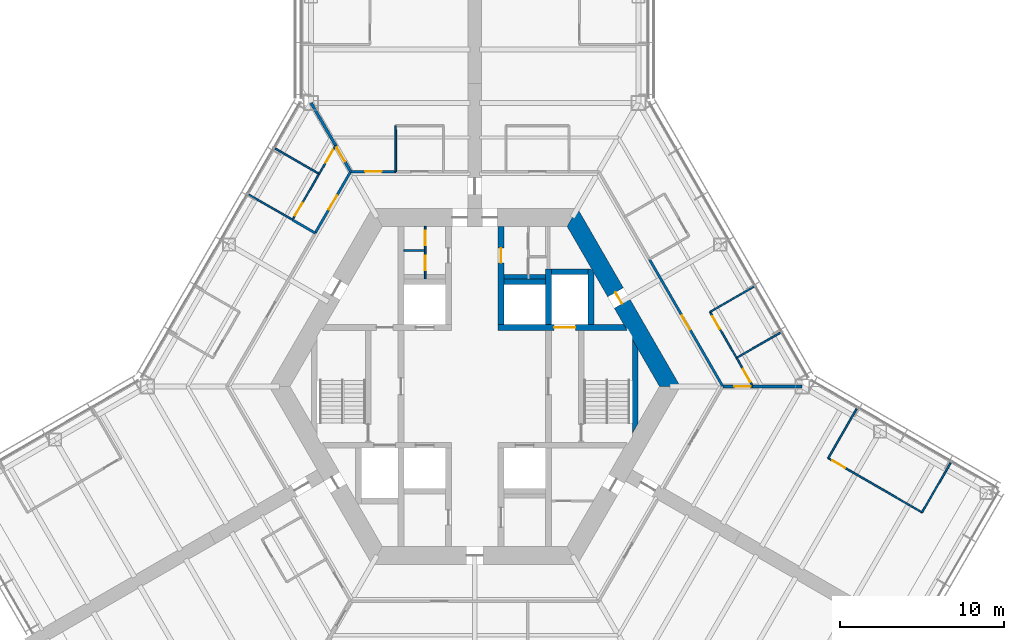
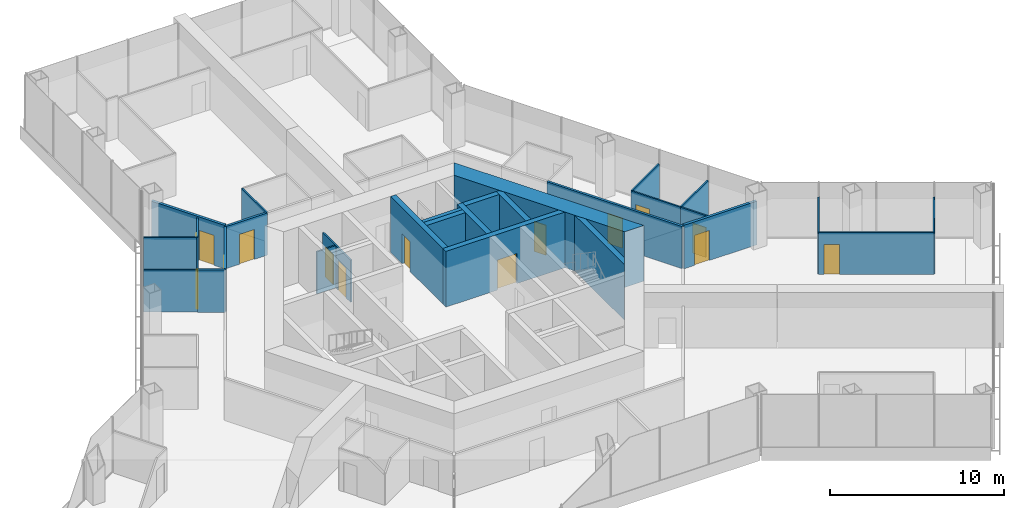
# One storey, part 14 of 18: 29 walls, 15 doors, 15 openings.
"""IFC4 building model written with IfcOpenShell, lengths in metres."""

from ifc_helpers import new_model, si_unit, direction, frame, frame_2d, origin, place, context, subcontext, project, spatial, polyline, rectangle, outline, extrude, material, layer, layer_set, type_object, element, fill, save


model = new_model("IFC4")

# Units and contexts
model_context = context("Model", 3, precision=1e-05, world=origin(), true_north=direction((0.0, 1.0)))
body_context = subcontext(model_context, "Body", "Model", "MODEL_VIEW")
ifc_project = project(units=[si_unit("LENGTHUNIT", "METRE"), si_unit("AREAUNIT", "SQUARE_METRE"), si_unit("VOLUMEUNIT", "CUBIC_METRE"), si_unit("PLANEANGLEUNIT", "RADIAN"), si_unit("MASSUNIT", "GRAM", prefix="KILO")], contexts=[model_context])

# Site, building, storey
site_placement = place(None, origin())
site = spatial("IfcSite", under=ifc_project, at=site_placement, CompositionType="ELEMENT")
building_placement = place(site_placement, origin())
building = spatial("IfcBuilding", under=site, at=building_placement, Name="Kasaneha Research Tower", CompositionType="ELEMENT")
storey_placement = place(building_placement, frame((0.0, 0.0, 69.0)))
storey = spatial("IfcBuildingStorey", under=building, at=storey_placement, Name="L17", CompositionType="ELEMENT", Elevation=69.0)

# Wall, opening, door
ifc_material_1 = material(Name="Concrete Fc80", Category="concrete")
ifc_layer_1 = layer(ifc_material_1, 0.35009765625)
ifc_layer_set_1 = layer_set([ifc_layer_1], Name="Core internal wall 350 Fc80")
wall_type_1 = type_object("IfcWallType", Name="Core internal wall 350 Fc80", PredefinedType="SHEAR", material=ifc_layer_set_1)
wall_1_placement = place(storey_placement, frame((1.425048828125, 3.60009765625, 0.0), z_axis=(0.0, 0.0, 1.0), x_axis=(1.0, 0.0, 0.0)))
wall_1 = element("IfcWall", 1, at=wall_1_placement, inside=storey, type_object=wall_type_1, Name="Core wall W1E L17", PredefinedType="SHEAR", context=body_context, shape_type="SweptSolid", body=[
    extrude(outline(polyline([(0.0, -0.175048828125), (3.425048828125, -0.175048828125), (4.72509765625, -0.175048828125), (7.884765625, -0.175048828125), (7.6826171875, 0.175048828125), (4.72509765625, 0.175048828125), (3.425048828125, 0.175048828125), (0.0, 0.175048828125), (0.0, -0.175048828125)])), origin(), (0.0, 0.0, 1.0), 3.89990234375),
])
opening_1_placement = place(wall_1_placement, frame((3.425048828125, 0.0, 0.0)))
opening_1 = element("IfcOpeningElement", 2, at=opening_1_placement, cuts=wall_1, Name="Opening LD-FL1-L17", PredefinedType="OPENING", context=body_context, shape_type="SweptSolid", body=[
    extrude(rectangle(XDim=1.300048828125, YDim=2.10009765625, at=frame_2d((0.64990234375, 1.050048828125))), frame((0.0, 0.18505859375, 0.0), z_axis=(0.0, -1.0, 0.0), x_axis=(1.0, 0.0, 0.0)), (0.0, 0.0, 1.0), 0.3701171875),
])
ifc_material_2 = material(Name="Steel", Category="steel")
door_type_1 = type_object("IfcDoorType", Name="Lift landing door 1300x2100", OperationType="DOUBLE_DOOR_SLIDING", PredefinedType="DOOR", material=ifc_material_2)
door_1_placement = place(opening_1_placement, origin())
door_1 = element("IfcDoor", 3, at=door_1_placement, inside=storey, type_object=door_type_1, Name="Landing door FL1 LD-FL1-L17", OperationType="DOUBLE_DOOR_SLIDING", OverallHeight=2.10009765625, OverallWidth=1.300048828125, PredefinedType="DOOR", context=body_context, shape_type="SweptSolid", body=[
    extrude(rectangle(XDim=1.300048828125, YDim=2.10009765625, at=frame_2d((0.64990234375, 1.050048828125))), frame((0.0, 0.02490234375, 0.0), z_axis=(0.0, -1.0, 0.0), x_axis=(1.0, 0.0, 0.0)), (0.0, 0.0, 1.0), 0.050048828125),
])
fill(opening_1, door_1)

wall_2_placement = place(storey_placement, frame((1.60009765625, 3.77490234375, 0.0), z_axis=(0.0, 0.0, 1.0), x_axis=(0.0, 1.0, 0.0)))
wall_2 = element("IfcWall", 4, at=wall_2_placement, inside=storey, type_object=wall_type_1, Name="Core wall CNE L17", PredefinedType="SHEAR", context=body_context, shape_type="SweptSolid", body=[
    extrude(rectangle(XDim=6.0, YDim=0.35009765625, at=frame_2d((3.0, 0.0))), origin(), (0.0, 0.0, 1.0), 3.89990234375),
])
opening_2_placement = place(wall_2_placement, frame((3.77490234375, 0.0, 0.0)))
opening_2 = element("IfcOpeningElement", 5, at=opening_2_placement, cuts=wall_2, Name="Opening L17-D14", PredefinedType="OPENING", context=body_context, shape_type="SweptSolid", body=[
    extrude(rectangle(XDim=0.89990234375, YDim=2.10009765625, at=frame_2d((0.449951171875, 1.050048828125))), frame((0.0, 0.18505859375, 0.0), z_axis=(0.0, -1.0, 0.0), x_axis=(1.0, 0.0, 0.0)), (0.0, 0.0, 1.0), 0.3701171875),
])
ifc_material_3 = material(Name="Steel", Category="steel")
door_type_2 = type_object("IfcDoorType", Name="Toilet door FD20 900x2100", OperationType="NOTDEFINED", PredefinedType="DOOR", material=ifc_material_3)
door_2_placement = place(opening_2_placement, origin())
door_2 = element("IfcDoor", 6, at=door_2_placement, inside=storey, type_object=door_type_2, Name="Women's WC door L17-D14", OperationType="SINGLE_SWING_LEFT", OverallHeight=2.10009765625, OverallWidth=0.89990234375, PredefinedType="DOOR", context=body_context, shape_type="SweptSolid", body=[
    extrude(rectangle(XDim=0.89990234375, YDim=2.10009765625, at=frame_2d((0.449951171875, 1.050048828125))), frame((0.0, 0.02490234375, 0.0), z_axis=(0.0, -1.0, 0.0), x_axis=(1.0, 0.0, 0.0)), (0.0, 0.0, 1.0), 0.050048828125),
])
fill(opening_2, door_2)

# Walls
wall_3_placement = place(storey_placement, frame((4.5, 3.77490234375, 0.0), z_axis=(0.0, 0.0, 1.0), x_axis=(0.0, 1.0, 0.0)))
element("IfcWall", 7, at=wall_3_placement, inside=storey, type_object=wall_type_1, Name="Core wall FNE L17", PredefinedType="SHEAR", context=body_context, shape_type="SweptSolid", body=[
    extrude(rectangle(XDim=3.400146484375, YDim=0.35009765625, at=frame_2d((1.7001953125, 0.0))), origin(), (0.0, 0.0, 1.0), 3.89990234375),
])
wall_4_placement = place(storey_placement, frame((1.77490234375, 6.39990234375, 0.0), z_axis=(0.0, 0.0, 1.0), x_axis=(1.0, 0.0, 0.0)))
element("IfcWall", 8, at=wall_4_placement, inside=storey, type_object=wall_type_1, Name="Core wall N3N L17", PredefinedType="SHEAR", context=body_context, shape_type="SweptSolid", body=[
    extrude(rectangle(XDim=2.550048828125, YDim=0.35009765625, at=frame_2d((1.27490234375, 0.0))), origin(), (0.0, 0.0, 1.0), 3.89990234375),
])
wall_5_placement = place(storey_placement, frame((4.675048828125, 7.0, 0.0), z_axis=(0.0, 0.0, 1.0), x_axis=(1.0, 0.0, 0.0)))
element("IfcWall", 9, at=wall_5_placement, inside=storey, type_object=wall_type_1, Name="Core wall F1N L17", PredefinedType="SHEAR", context=body_context, shape_type="SweptSolid", body=[
    extrude(rectangle(XDim=2.25, YDim=0.35009765625, at=frame_2d((1.125, 0.0))), origin(), (0.0, 0.0, 1.0), 3.89990234375),
])
wall_6_placement = place(storey_placement, frame((7.10009765625, 3.77490234375, 0.0), z_axis=(0.0, 0.0, 1.0), x_axis=(0.0, 1.0, 0.0)))
element("IfcWall", 10, at=wall_6_placement, inside=storey, type_object=wall_type_1, Name="Core wall F1E L17", PredefinedType="SHEAR", context=body_context, shape_type="SweptSolid", body=[
    extrude(outline(polyline([(0.0, -0.175048828125), (3.174560546875, -0.175048828125), (3.400146484375, 0.0), (3.400146484375, 0.175048828125), (0.0, 0.175048828125), (0.0, -0.175048828125)])), origin(), (0.0, 0.0, 1.0), 3.89990234375),
])
wall_7_placement = place(storey_placement, frame((9.807861328125, -2.562255859375, 0.0), z_axis=(0.0, 0.0, 1.0), x_axis=(0.0, 1.0, 0.0)))
element("IfcWall", 11, at=wall_7_placement, inside=storey, type_object=wall_type_1, Name="Core wall STE L17", PredefinedType="SHEAR", context=body_context, shape_type="SweptSolid", body=[
    extrude(outline(polyline([(0.30322265625, -0.175048828125), (4.8212890625, -0.175048828125), (5.427734375, 0.175048828125), (-0.30322265625, 0.175048828125), (0.30322265625, -0.175048828125)])), origin(), (0.0, 0.0, 1.0), 3.89990234375),
])

# Wall, opening, door
ifc_material_4 = material(Name="Concrete Fc80", Category="concrete")
ifc_layer_2 = layer(ifc_material_4, 1.10009765625)
ifc_layer_set_2 = layer_set([ifc_layer_2], Name="Core wall 1100 Fc80")
wall_type_2 = type_object("IfcWallType", Name="Core wall 1100 Fc80", PredefinedType="SHEAR", material=ifc_layer_set_2)
wall_8_placement = place(storey_placement, frame((11.92236328125, 0.0, 0.0), z_axis=(0.0, 0.0, 1.0), x_axis=(-0.500004296715, 0.866022923061, 0.0)))
wall_8 = element("IfcWall", 12, at=wall_8_placement, inside=storey, type_object=wall_type_2, Name="Core wall 030 L17", PredefinedType="SHEAR", context=body_context, shape_type="SweptSolid", body=[
    extrude(outline(polyline([(-0.317626953125, -0.550048828125), (5.83544921875, -0.550048828125), (6.635498046875, -0.550048828125), (12.239990234375, -0.550048828125), (11.604736328125, 0.550048828125), (6.635498046875, 0.550048828125), (5.83544921875, 0.550048828125), (0.317626953125, 0.550048828125), (-0.317626953125, -0.550048828125)])), origin(), (0.0, 0.0, 1.0), 3.89990234375),
])
opening_3_placement = place(wall_8_placement, frame((5.83544921875, 0.0, 0.0)))
opening_3 = element("IfcOpeningElement", 13, at=opening_3_placement, cuts=wall_8, Name="Opening L17-D04", PredefinedType="OPENING", context=body_context, shape_type="SweptSolid", body=[
    extrude(rectangle(XDim=0.800048828125, YDim=2.10009765625, at=frame_2d((0.39990234375, 1.050048828125))), frame((0.0, 0.56005859375, 0.0), z_axis=(0.0, -1.0, 0.0), x_axis=(1.0, 0.0, 0.0)), (0.0, 0.0, 1.0), 1.1201171875),
])
ifc_material_5 = material(Name="Steel", Category="steel")
door_type_3 = type_object("IfcDoorType", Name="Riser access door FD60 800x2100", OperationType="NOTDEFINED", PredefinedType="DOOR", material=ifc_material_5)
door_3_placement = place(opening_3_placement, origin())
door_3 = element("IfcDoor", 14, at=door_3_placement, inside=storey, type_object=door_type_3, Name="Pipe riser door L17-D04", OperationType="SINGLE_SWING_RIGHT", OverallHeight=2.10009765625, OverallWidth=0.800048828125, PredefinedType="DOOR", context=body_context, shape_type="SweptSolid", body=[
    extrude(rectangle(XDim=0.800048828125, YDim=2.10009765625, at=frame_2d((0.39990234375, 1.050048828125))), frame((0.0, 0.02490234375, 0.0), z_axis=(0.0, -1.0, 0.0), x_axis=(1.0, 0.0, 0.0)), (0.0, 0.0, 1.0), 0.050048828125),
])
fill(opening_3, door_3)

# Wall, openings, doors
ifc_material_6 = material(Name="Gypsum board on steel studs, one layer each side", Category="steel")
ifc_layer_3 = layer(ifc_material_6, 0.10009765625)
ifc_layer_set_3 = layer_set([ifc_layer_3], Name="Office partition 100")
wall_type_3 = type_object("IfcWallType", Name="Office partition 100", PredefinedType="PARTITIONING", material=ifc_layer_set_3)
wall_9_placement = place(storey_placement, frame((-3.02490234375, 6.574951171875, 0.0), z_axis=(0.0, 0.0, 1.0), x_axis=(0.0, 1.0, 0.0)))
wall_9 = element("IfcWall", 15, at=wall_9_placement, inside=storey, type_object=wall_type_3, Name="Office partition TBM1 L17", PredefinedType="PARTITIONING", context=body_context, shape_type="SweptSolid", body=[
    extrude(rectangle(XDim=3.199951171875, YDim=0.10009765625, at=frame_2d((1.60009765625, 0.0))), origin(), (0.0, 0.0, 1.0), 2.949951171875),
])
opening_4_placement = place(wall_9_placement, frame((2.0400390625, 0.0, 0.0)))
opening_4 = element("IfcOpeningElement", 16, at=opening_4_placement, cuts=wall_9, Name="Opening L17-D20", PredefinedType="OPENING", context=body_context, shape_type="SweptSolid", body=[
    extrude(rectangle(XDim=0.89990234375, YDim=2.10009765625, at=frame_2d((0.449951171875, 1.050048828125))), frame((0.0, 0.06005859375, 0.0), z_axis=(0.0, -1.0, 0.0), x_axis=(1.0, 0.0, 0.0)), (0.0, 0.0, 1.0), 0.1201171875),
])
opening_5_placement = place(wall_9_placement, frame((0.514892578125, 0.0, 0.0)))
opening_5 = element("IfcOpeningElement", 17, at=opening_5_placement, cuts=wall_9, Name="Opening L17-D21", PredefinedType="OPENING", context=body_context, shape_type="SweptSolid", body=[
    extrude(rectangle(XDim=0.89990234375, YDim=2.10009765625, at=frame_2d((0.449951171875, 1.050048828125))), frame((0.0, 0.06005859375, 0.0), z_axis=(0.0, -1.0, 0.0), x_axis=(1.0, 0.0, 0.0)), (0.0, 0.0, 1.0), 0.1201171875),
])
ifc_material_7 = material(Name="Steel", Category="steel")
door_type_4 = type_object("IfcDoorType", Name="Toilet lobby door FD30 900x2100", OperationType="NOTDEFINED", PredefinedType="DOOR", material=ifc_material_7)
door_4_placement = place(opening_4_placement, origin())
door_4 = element("IfcDoor", 18, at=door_4_placement, inside=storey, type_object=door_type_4, Name="Men's WC door L17-D20", OperationType="SINGLE_SWING_RIGHT", OverallHeight=2.10009765625, OverallWidth=0.89990234375, PredefinedType="DOOR", context=body_context, shape_type="SweptSolid", body=[
    extrude(rectangle(XDim=0.89990234375, YDim=2.10009765625, at=frame_2d((0.449951171875, 1.050048828125))), frame((0.0, 0.02490234375, 0.0), z_axis=(0.0, -1.0, 0.0), x_axis=(1.0, 0.0, 0.0)), (0.0, 0.0, 1.0), 0.050048828125),
])
fill(opening_4, door_4)
door_5_placement = place(opening_5_placement, origin())
door_5 = element("IfcDoor", 19, at=door_5_placement, inside=storey, type_object=door_type_4, Name="Shower room door L17-D21", OperationType="SINGLE_SWING_RIGHT", OverallHeight=2.10009765625, OverallWidth=0.89990234375, PredefinedType="DOOR", context=body_context, shape_type="SweptSolid", body=[
    extrude(rectangle(XDim=0.89990234375, YDim=2.10009765625, at=frame_2d((0.449951171875, 1.050048828125))), frame((0.0, 0.02490234375, 0.0), z_axis=(0.0, -1.0, 0.0), x_axis=(1.0, 0.0, 0.0)), (0.0, 0.0, 1.0), 0.050048828125),
])
fill(opening_5, door_5)

# Walls
wall_10_placement = place(storey_placement, frame((-3.074951171875, 8.304931640625, 0.0), z_axis=(0.0, 0.0, 1.0), x_axis=(-1.0, 0.0, 0.0)))
element("IfcWall", 20, at=wall_10_placement, inside=storey, type_object=wall_type_3, Name="Office partition TBM2 L17", PredefinedType="PARTITIONING", context=body_context, shape_type="SweptSolid", body=[
    extrude(rectangle(XDim=1.25, YDim=0.10009765625, at=frame_2d((0.625, 0.0))), origin(), (0.0, 0.0, 1.0), 2.949951171875),
])
wall_11_placement = place(storey_placement, frame((18.662109375, 3.27734375, 0.0), z_axis=(0.0, 0.0, 1.0), x_axis=(-0.866844641549, -0.498578346319, 0.0)))
element("IfcWall", 21, at=wall_11_placement, inside=storey, type_object=wall_type_3, Name="Office partition FAE18 L17", PredefinedType="PARTITIONING", context=body_context, shape_type="SweptSolid", body=[
    extrude(rectangle(XDim=3.080078125, YDim=0.10009765625, at=frame_2d((1.5400390625, 0.0))), origin(), (0.0, 0.0, 1.0), 2.949951171875),
])
wall_12_placement = place(storey_placement, frame((14.37158203125, 4.548828125, 0.0), z_axis=(0.0, 0.0, 1.0), x_axis=(0.86600983753, 0.500026960575, 0.0)))
element("IfcWall", 22, at=wall_12_placement, inside=storey, type_object=wall_type_3, Name="Office partition FAE19 L17", PredefinedType="PARTITIONING", context=body_context, shape_type="SweptSolid", body=[
    extrude(rectangle(XDim=3.099853515625, YDim=0.10009765625, at=frame_2d((1.5498046875, 0.0))), origin(), (0.0, 0.0, 1.0), 2.949951171875),
])

# Wall, opening, door
wall_13_placement = place(storey_placement, frame((15.998779296875, 1.73974609375, 0.0), z_axis=(0.0, 0.0, 1.0), x_axis=(-0.501240807694, 0.865307836959, 0.0)))
wall_13 = element("IfcWall", 23, at=wall_13_placement, inside=storey, type_object=wall_type_3, Name="Office partition FAE20 L17", PredefinedType="PARTITIONING", context=body_context, shape_type="SweptSolid", body=[
    extrude(rectangle(XDim=3.246337890625, YDim=0.10009765625, at=frame_2d((1.623046875, 0.0))), origin(), (0.0, 0.0, 1.0), 2.949951171875),
])
opening_6_placement = place(wall_13_placement, frame((2.04638671875, 0.0, 0.0)))
opening_6 = element("IfcOpeningElement", 24, at=opening_6_placement, cuts=wall_13, Name="Opening L17-D33", PredefinedType="OPENING", context=body_context, shape_type="SweptSolid", body=[
    extrude(rectangle(XDim=0.89990234375, YDim=2.10009765625, at=frame_2d((0.449951171875, 1.050048828125))), frame((0.0, 0.06005859375, 0.0), z_axis=(0.0, -1.0, 0.0), x_axis=(1.0, 0.0, 0.0)), (0.0, 0.0, 1.0), 0.1201171875),
])
ifc_material_8 = material(Name="Timber veneer", Category="wood")
door_type_5 = type_object("IfcDoorType", Name="Office door 900x2100", OperationType="SINGLE_SWING_LEFT", PredefinedType="DOOR", material=ifc_material_8)
door_6_placement = place(opening_6_placement, origin())
door_6 = element("IfcDoor", 25, at=door_6_placement, inside=storey, type_object=door_type_5, Name="Workroom door L17-D33", OperationType="SINGLE_SWING_RIGHT", OverallHeight=2.10009765625, OverallWidth=0.89990234375, PredefinedType="DOOR", context=body_context, shape_type="SweptSolid", body=[
    extrude(rectangle(XDim=0.89990234375, YDim=2.10009765625, at=frame_2d((0.449951171875, 1.050048828125))), frame((0.0, 0.02490234375, 0.0), z_axis=(0.0, -1.0, 0.0), x_axis=(1.0, 0.0, 0.0)), (0.0, 0.0, 1.0), 0.050048828125),
])
fill(opening_6, door_6)

wall_14_placement = place(storey_placement, frame((16.986083984375, 0.02001953125, 0.0), z_axis=(0.0, 0.0, 1.0), x_axis=(-0.497888096254, 0.867241283386, 0.0)))
wall_14 = element("IfcWall", 26, at=wall_14_placement, inside=storey, type_object=wall_type_3, Name="Office partition FAE21 L17", PredefinedType="PARTITIONING", context=body_context, shape_type="SweptSolid", body=[
    extrude(rectangle(XDim=1.98291015625, YDim=0.10009765625, at=frame_2d((0.991455078125, 0.0))), origin(), (0.0, 0.0, 1.0), 2.949951171875),
])
opening_7_placement = place(wall_14_placement, frame((0.300048828125, 0.0, 0.0)))
opening_7 = element("IfcOpeningElement", 27, at=opening_7_placement, cuts=wall_14, Name="Opening L17-D34", PredefinedType="OPENING", context=body_context, shape_type="SweptSolid", body=[
    extrude(rectangle(XDim=0.89990234375, YDim=2.10009765625, at=frame_2d((0.449951171875, 1.050048828125))), frame((0.0, 0.06005859375, 0.0), z_axis=(0.0, -1.0, 0.0), x_axis=(1.0, 0.0, 0.0)), (0.0, 0.0, 1.0), 0.1201171875),
])
door_7_placement = place(opening_7_placement, origin())
door_7 = element("IfcDoor", 28, at=door_7_placement, inside=storey, type_object=door_type_5, Name="Phone room door L17-D34", OperationType="SINGLE_SWING_LEFT", OverallHeight=2.10009765625, OverallWidth=0.89990234375, PredefinedType="DOOR", context=body_context, shape_type="SweptSolid", body=[
    extrude(rectangle(XDim=0.89990234375, YDim=2.10009765625, at=frame_2d((0.449951171875, 1.050048828125))), frame((0.0, 0.02490234375, 0.0), z_axis=(0.0, -1.0, 0.0), x_axis=(1.0, 0.0, 0.0)), (0.0, 0.0, 1.0), 0.050048828125),
])
fill(opening_7, door_7)

# Walls
wall_15_placement = place(storey_placement, frame((-4.824462890625, 13.125, 0.0), z_axis=(0.0, 0.0, 1.0), x_axis=(-0.001656637364, 0.999998627775, 0.0)))
element("IfcWall", 29, at=wall_15_placement, inside=storey, type_object=wall_type_3, Name="Office partition FAW05 L17", PredefinedType="PARTITIONING", context=body_context, shape_type="SweptSolid", body=[
    extrude(rectangle(XDim=2.800048828125, YDim=0.10009765625, at=frame_2d((1.39990234375, 0.0))), origin(), (0.0, 0.0, 1.0), 2.949951171875),
])
wall_16_placement = place(storey_placement, frame((-12.1865234375, 14.533203125, 0.0), z_axis=(0.0, 0.0, 1.0), x_axis=(0.865232104039, -0.50137152506, 0.0)))
element("IfcWall", 30, at=wall_16_placement, inside=storey, type_object=wall_type_3, Name="Office partition FBN07 L17", PredefinedType="PARTITIONING", context=body_context, shape_type="SweptSolid", body=[
    extrude(rectangle(XDim=3.099853515625, YDim=0.10009765625, at=frame_2d((1.5498046875, 0.0))), origin(), (0.0, 0.0, 1.0), 2.949951171875),
])
wall_17_placement = place(storey_placement, frame((-11.122802734375, 10.17578125, 0.0), z_axis=(0.0, 0.0, 1.0), x_axis=(-0.866790673474, 0.498672165233, 0.0)))
element("IfcWall", 31, at=wall_17_placement, inside=storey, type_object=wall_type_3, Name="Office partition FBN08 L17", PredefinedType="PARTITIONING", context=body_context, shape_type="SweptSolid", body=[
    extrude(rectangle(XDim=3.080078125, YDim=0.10009765625, at=frame_2d((1.5400390625, 0.0))), origin(), (0.0, 0.0, 1.0), 2.949951171875),
])

# Wall, opening, door
wall_18_placement = place(storey_placement, frame((-9.505859375, 12.985595703125, 0.0), z_axis=(0.0, 0.0, 1.0), x_axis=(-0.499956811548, -0.866050337213, 0.0)))
wall_18 = element("IfcWall", 32, at=wall_18_placement, inside=storey, type_object=wall_type_3, Name="Office partition FBN09 L17", PredefinedType="PARTITIONING", context=body_context, shape_type="SweptSolid", body=[
    extrude(rectangle(XDim=3.246337890625, YDim=0.10009765625, at=frame_2d((1.623046875, 0.0))), origin(), (0.0, 0.0, 1.0), 2.949951171875),
])
opening_8_placement = place(wall_18_placement, frame((2.04638671875, 0.0, 0.0)))
opening_8 = element("IfcOpeningElement", 33, at=opening_8_placement, cuts=wall_18, Name="Opening L17-D42", PredefinedType="OPENING", context=body_context, shape_type="SweptSolid", body=[
    extrude(rectangle(XDim=0.89990234375, YDim=2.10009765625, at=frame_2d((0.449951171875, 1.050048828125))), frame((0.0, 0.06005859375, 0.0), z_axis=(0.0, -1.0, 0.0), x_axis=(1.0, 0.0, 0.0)), (0.0, 0.0, 1.0), 0.1201171875),
])
door_8_placement = place(opening_8_placement, origin())
door_8 = element("IfcDoor", 34, at=door_8_placement, inside=storey, type_object=door_type_5, Name="Project room door L17-D42", OperationType="SINGLE_SWING_RIGHT", OverallHeight=2.10009765625, OverallWidth=0.89990234375, PredefinedType="DOOR", context=body_context, shape_type="SweptSolid", body=[
    extrude(rectangle(XDim=0.89990234375, YDim=2.10009765625, at=frame_2d((0.449951171875, 1.050048828125))), frame((0.0, 0.02490234375, 0.0), z_axis=(0.0, -1.0, 0.0), x_axis=(1.0, 0.0, 0.0)), (0.0, 0.0, 1.0), 0.050048828125),
])
fill(opening_8, door_8)

wall_19_placement = place(storey_placement, frame((-8.510498046875, 14.700439453125, 0.0), z_axis=(0.0, 0.0, 1.0), x_axis=(-0.502001840855, -0.864866551427, 0.0)))
wall_19 = element("IfcWall", 35, at=wall_19_placement, inside=storey, type_object=wall_type_3, Name="Office partition FBN13 L17", PredefinedType="PARTITIONING", context=body_context, shape_type="SweptSolid", body=[
    extrude(rectangle(XDim=1.982666015625, YDim=0.10009765625, at=frame_2d((0.9912109375, 0.0))), origin(), (0.0, 0.0, 1.0), 2.949951171875),
])
opening_9_placement = place(wall_19_placement, frame((0.300048828125, 0.0, 0.0)))
opening_9 = element("IfcOpeningElement", 36, at=opening_9_placement, cuts=wall_19, Name="Opening L17-D44", PredefinedType="OPENING", context=body_context, shape_type="SweptSolid", body=[
    extrude(rectangle(XDim=0.89990234375, YDim=2.10009765625, at=frame_2d((0.449951171875, 1.050048828125))), frame((0.0, 0.06005859375, 0.0), z_axis=(0.0, -1.0, 0.0), x_axis=(1.0, 0.0, 0.0)), (0.0, 0.0, 1.0), 0.1201171875),
])
door_9_placement = place(opening_9_placement, origin())
door_9 = element("IfcDoor", 37, at=door_9_placement, inside=storey, type_object=door_type_5, Name="Phone room door L17-D44", OperationType="SINGLE_SWING_LEFT", OverallHeight=2.10009765625, OverallWidth=0.89990234375, PredefinedType="DOOR", context=body_context, shape_type="SweptSolid", body=[
    extrude(rectangle(XDim=0.89990234375, YDim=2.10009765625, at=frame_2d((0.449951171875, 1.050048828125))), frame((0.0, 0.02490234375, 0.0), z_axis=(0.0, -1.0, 0.0), x_axis=(1.0, 0.0, 0.0)), (0.0, 0.0, 1.0), 0.050048828125),
])
fill(opening_9, door_9)

# Wall
wall_20_placement = place(storey_placement, frame((21.59228515625, -4.38330078125, 0.0), z_axis=(0.0, 0.0, 1.0), x_axis=(0.500009906705, 0.86601968407, 0.0)))
element("IfcWall", 38, at=wall_20_placement, inside=storey, type_object=wall_type_3, Name="Office partition FCE02 L17", PredefinedType="PARTITIONING", context=body_context, shape_type="SweptSolid", body=[
    extrude(rectangle(XDim=3.47998046875, YDim=0.10009765625, at=frame_2d((1.739990234375, 0.0))), origin(), (0.0, 0.0, 1.0), 2.949951171875),
])

# Wall, opening, door
wall_21_placement = place(storey_placement, frame((27.324951171875, -7.693115234375, 0.0), z_axis=(0.0, 0.0, 1.0), x_axis=(-0.866021597574, 0.500006592492, 0.0)))
wall_21 = element("IfcWall", 39, at=wall_21_placement, inside=storey, type_object=wall_type_3, Name="Office partition FCE03 L17", PredefinedType="PARTITIONING", context=body_context, shape_type="SweptSolid", body=[
    extrude(rectangle(XDim=6.61962890625, YDim=0.10009765625, at=frame_2d((3.309814453125, 0.0))), origin(), (0.0, 0.0, 1.0), 2.949951171875),
])
opening_10_placement = place(wall_21_placement, frame((5.419677734375, 0.0, 0.0)))
opening_10 = element("IfcOpeningElement", 40, at=opening_10_placement, cuts=wall_21, Name="Opening L17-D49", PredefinedType="OPENING", context=body_context, shape_type="SweptSolid", body=[
    extrude(rectangle(XDim=0.89990234375, YDim=2.10009765625, at=frame_2d((0.449951171875, 1.050048828125))), frame((0.0, 0.06005859375, 0.0), z_axis=(0.0, -1.0, 0.0), x_axis=(1.0, 0.0, 0.0)), (0.0, 0.0, 1.0), 0.1201171875),
])
door_10_placement = place(opening_10_placement, origin())
door_10 = element("IfcDoor", 41, at=door_10_placement, inside=storey, type_object=door_type_5, Name="Meeting room door L17-D49", OperationType="SINGLE_SWING_RIGHT", OverallHeight=2.10009765625, OverallWidth=0.89990234375, PredefinedType="DOOR", context=body_context, shape_type="SweptSolid", body=[
    extrude(rectangle(XDim=0.89990234375, YDim=2.10009765625, at=frame_2d((0.449951171875, 1.050048828125))), frame((0.0, 0.02490234375, 0.0), z_axis=(0.0, -1.0, 0.0), x_axis=(1.0, 0.0, 0.0)), (0.0, 0.0, 1.0), 0.050048828125),
])
fill(opening_10, door_10)

# Wall
wall_22_placement = place(storey_placement, frame((29.074951171875, -4.662109375, 0.0), z_axis=(0.0, 0.0, 1.0), x_axis=(-0.500010275428, -0.866019471182, 0.0)))
element("IfcWall", 42, at=wall_22_placement, inside=storey, type_object=wall_type_3, Name="Office partition FCE04 L17", PredefinedType="PARTITIONING", context=body_context, shape_type="SweptSolid", body=[
    extrude(rectangle(XDim=3.5, YDim=0.10009765625, at=frame_2d((1.75, 0.0))), origin(), (0.0, 0.0, 1.0), 2.949951171875),
])

# Wall, opening, door
ifc_material_9 = material(Name="Gypsum board on steel studs, two layers each side", Category="steel")
ifc_layer_4 = layer(ifc_material_9, 0.14990234375)
ifc_layer_set_4 = layer_set([ifc_layer_4], Name="Suite partition 150")
wall_type_4 = type_object("IfcWallType", Name="Suite partition 150", PredefinedType="PARTITIONING", material=ifc_layer_set_4)
wall_23_placement = place(storey_placement, frame((10.664306640625, 7.77880859375, 0.0), z_axis=(0.0, 0.0, 1.0), x_axis=(0.49999608499, -0.866027664105, 0.0)))
wall_23 = element("IfcWall", 43, at=wall_23_placement, inside=storey, type_object=wall_type_4, Name="Suite partition FAE06 L17", PredefinedType="PARTITIONING", context=body_context, shape_type="SweptSolid", body=[
    extrude(rectangle(XDim=8.958984375, YDim=0.14990234375, at=frame_2d((4.4794921875, 0.0))), origin(), (0.0, 0.0, 1.0), 2.949951171875),
])
opening_11_placement = place(wall_23_placement, frame((3.9794921875, 0.0, 0.0)))
opening_11 = element("IfcOpeningElement", 44, at=opening_11_placement, cuts=wall_23, Name="Opening L17-D29", PredefinedType="OPENING", context=body_context, shape_type="SweptSolid", body=[
    extrude(rectangle(XDim=1.0, YDim=2.10009765625, at=frame_2d((0.5, 1.050048828125))), frame((0.0, 0.0849609375, 0.0), z_axis=(0.0, -1.0, 0.0), x_axis=(1.0, 0.0, 0.0)), (0.0, 0.0, 1.0), 0.169921875),
])
ifc_material_10 = material(Name="Steel", Category="steel")
door_type_6 = type_object("IfcDoorType", Name="Suite entrance door FD60 1000x2100", OperationType="NOTDEFINED", PredefinedType="DOOR", material=ifc_material_10)
door_11_placement = place(opening_11_placement, origin())
door_11 = element("IfcDoor", 45, at=door_11_placement, inside=storey, type_object=door_type_6, Name="Suite entrance door L17-D29", OperationType="SINGLE_SWING_RIGHT", OverallHeight=2.10009765625, OverallWidth=1.0, PredefinedType="DOOR", context=body_context, shape_type="SweptSolid", body=[
    extrude(rectangle(XDim=1.0, YDim=2.10009765625, at=frame_2d((0.5, 1.050048828125))), frame((0.0, 0.02490234375, 0.0), z_axis=(0.0, -1.0, 0.0), x_axis=(1.0, 0.0, 0.0)), (0.0, 0.0, 1.0), 0.050048828125),
])
fill(opening_11, door_11)

wall_24_placement = place(storey_placement, frame((-7.5546875, 13.125, 0.0), z_axis=(0.0, 0.0, 1.0), x_axis=(1.0, 0.0, 0.0)))
wall_24 = element("IfcWall", 46, at=wall_24_placement, inside=storey, type_object=wall_type_4, Name="Suite partition FAW02 L17", PredefinedType="PARTITIONING", context=body_context, shape_type="SweptSolid", body=[
    extrude(rectangle(XDim=2.730224609375, YDim=0.14990234375, at=frame_2d((1.365234375, 0.0))), origin(), (0.0, 0.0, 1.0), 2.949951171875),
])
opening_12_placement = place(wall_24_placement, frame((0.864990234375, 0.0, 0.0)))
opening_12 = element("IfcOpeningElement", 47, at=opening_12_placement, cuts=wall_24, Name="Opening L17-D36", PredefinedType="OPENING", context=body_context, shape_type="SweptSolid", body=[
    extrude(rectangle(XDim=1.0, YDim=2.10009765625, at=frame_2d((0.5, 1.050048828125))), frame((0.0, 0.0849609375, 0.0), z_axis=(0.0, -1.0, 0.0), x_axis=(1.0, 0.0, 0.0)), (0.0, 0.0, 1.0), 0.169921875),
])
door_12_placement = place(opening_12_placement, origin())
door_12 = element("IfcDoor", 48, at=door_12_placement, inside=storey, type_object=door_type_6, Name="Suite entrance door L17-D36", OperationType="SINGLE_SWING_RIGHT", OverallHeight=2.10009765625, OverallWidth=1.0, PredefinedType="DOOR", context=body_context, shape_type="SweptSolid", body=[
    extrude(rectangle(XDim=1.0, YDim=2.10009765625, at=frame_2d((0.5, 1.050048828125))), frame((0.0, 0.02490234375, 0.0), z_axis=(0.0, -1.0, 0.0), x_axis=(1.0, 0.0, 0.0)), (0.0, 0.0, 1.0), 0.050048828125),
])
fill(opening_12, door_12)

wall_25_placement = place(storey_placement, frame((-9.745849609375, 9.36962890625, 0.0), z_axis=(0.0, 0.0, 1.0), x_axis=(0.499980509014, 0.866036656618, 0.0)))
wall_25 = element("IfcWall", 49, at=wall_25_placement, inside=storey, type_object=wall_type_4, Name="Suite partition FBN03 L17", PredefinedType="PARTITIONING", context=body_context, shape_type="SweptSolid", body=[
    extrude(rectangle(XDim=4.313232421875, YDim=0.14990234375, at=frame_2d((2.15673828125, 0.0))), origin(), (0.0, 0.0, 1.0), 2.949951171875),
])
opening_13_placement = place(wall_25_placement, frame((1.65673828125, 0.0, 0.0)))
opening_13 = element("IfcOpeningElement", 50, at=opening_13_placement, cuts=wall_25, Name="Opening L17-D40", PredefinedType="OPENING", context=body_context, shape_type="SweptSolid", body=[
    extrude(rectangle(XDim=1.0, YDim=2.10009765625, at=frame_2d((0.5, 1.050048828125))), frame((0.0, 0.0849609375, 0.0), z_axis=(0.0, -1.0, 0.0), x_axis=(1.0, 0.0, 0.0)), (0.0, 0.0, 1.0), 0.169921875),
])
door_13_placement = place(opening_13_placement, origin())
door_13 = element("IfcDoor", 51, at=door_13_placement, inside=storey, type_object=door_type_6, Name="Suite entrance door L17-D40", OperationType="SINGLE_SWING_LEFT", OverallHeight=2.10009765625, OverallWidth=1.0, PredefinedType="DOOR", context=body_context, shape_type="SweptSolid", body=[
    extrude(rectangle(XDim=1.0, YDim=2.10009765625, at=frame_2d((0.5, 1.050048828125))), frame((0.0, 0.02490234375, 0.0), z_axis=(0.0, -1.0, 0.0), x_axis=(1.0, 0.0, 0.0)), (0.0, 0.0, 1.0), 0.050048828125),
])
fill(opening_13, door_13)

# Wall
wall_26_placement = place(storey_placement, frame((-11.129150390625, 10.173828125, 0.0), z_axis=(0.0, 0.0, 1.0), x_axis=(0.864508729043, -0.502617804509, 0.0)))
element("IfcWall", 52, at=wall_26_placement, inside=storey, type_object=wall_type_4, Name="Suite partition FBN14 L17", PredefinedType="PARTITIONING", context=body_context, shape_type="SweptSolid", body=[
    extrude(rectangle(XDim=1.599609375, YDim=0.14990234375, at=frame_2d((0.7998046875, 0.0))), origin(), (0.0, 0.0, 1.0), 2.949951171875),
])

# Wall, opening, door
ifc_material_11 = material(Name="Gypsum board on steel studs, two layers each side", Category="steel")
ifc_layer_5 = layer(ifc_material_11, 0.175048828125)
ifc_layer_set_5 = layer_set([ifc_layer_5], Name="Tenancy fire partition 175")
wall_type_5 = type_object("IfcWallType", Name="Tenancy fire partition 175", PredefinedType="PARTITIONING", material=ifc_layer_set_5)
wall_27_placement = place(storey_placement, frame((15.155517578125, 0.0, 0.0), z_axis=(0.0, 0.0, 1.0), x_axis=(1.0, 0.0, 0.0)))
wall_27 = element("IfcWall", 53, at=wall_27_placement, inside=storey, type_object=wall_type_5, Name="Tenancy fire partition T000 L17", PredefinedType="PARTITIONING", context=body_context, shape_type="SweptSolid", body=[
    extrude(rectangle(XDim=4.844482421875, YDim=0.175048828125, at=frame_2d((2.42236328125, 0.0))), origin(), (0.0, 0.0, 1.0), 3.050048828125),
])
opening_14_placement = place(wall_27_placement, frame((0.699951171875, 0.0, 0.0)))
opening_14 = element("IfcOpeningElement", 54, at=opening_14_placement, cuts=wall_27, Name="Opening L17-D25", PredefinedType="OPENING", context=body_context, shape_type="SweptSolid", body=[
    extrude(rectangle(XDim=1.0, YDim=2.10009765625, at=frame_2d((0.5, 1.050048828125))), frame((0.0, 0.09765625, 0.0), z_axis=(0.0, -1.0, 0.0), x_axis=(1.0, 0.0, 0.0)), (0.0, 0.0, 1.0), 0.195068359375),
])
door_14_placement = place(opening_14_placement, origin())
door_14 = element("IfcDoor", 55, at=door_14_placement, inside=storey, type_object=door_type_6, Name="Connecting door L17-D25", OperationType="SINGLE_SWING_RIGHT", OverallHeight=2.10009765625, OverallWidth=1.0, PredefinedType="DOOR", context=body_context, shape_type="SweptSolid", body=[
    extrude(rectangle(XDim=1.0, YDim=2.10009765625, at=frame_2d((0.5, 1.050048828125))), frame((0.0, 0.02490234375, 0.0), z_axis=(0.0, -1.0, 0.0), x_axis=(1.0, 0.0, 0.0)), (0.0, 0.0, 1.0), 0.050048828125),
])
fill(opening_14, door_14)

wall_28_placement = place(storey_placement, frame((-7.57763671875, 13.125, 0.0), z_axis=(0.0, 0.0, 1.0), x_axis=(-0.500008905493, 0.866020262135, 0.0)))
wall_28 = element("IfcWall", 56, at=wall_28_placement, inside=storey, type_object=wall_type_5, Name="Tenancy fire partition T120 L17", PredefinedType="PARTITIONING", context=body_context, shape_type="SweptSolid", body=[
    extrude(rectangle(XDim=4.8447265625, YDim=0.175048828125, at=frame_2d((2.42236328125, 0.0))), origin(), (0.0, 0.0, 1.0), 3.050048828125),
])
opening_15_placement = place(wall_28_placement, frame((0.699951171875, 0.0, 0.0)))
opening_15 = element("IfcOpeningElement", 57, at=opening_15_placement, cuts=wall_28, Name="Opening L17-D26", PredefinedType="OPENING", context=body_context, shape_type="SweptSolid", body=[
    extrude(rectangle(XDim=1.0, YDim=2.10009765625, at=frame_2d((0.5, 1.050048828125))), frame((0.0, 0.09765625, 0.0), z_axis=(0.0, -1.0, 0.0), x_axis=(1.0, 0.0, 0.0)), (0.0, 0.0, 1.0), 0.195068359375),
])
door_15_placement = place(opening_15_placement, origin())
door_15 = element("IfcDoor", 58, at=door_15_placement, inside=storey, type_object=door_type_6, Name="Connecting door L17-D26", OperationType="SINGLE_SWING_RIGHT", OverallHeight=2.10009765625, OverallWidth=1.0, PredefinedType="DOOR", context=body_context, shape_type="SweptSolid", body=[
    extrude(rectangle(XDim=1.0, YDim=2.10009765625, at=frame_2d((0.5, 1.050048828125))), frame((0.0, 0.02490234375, 0.0), z_axis=(0.0, -1.0, 0.0), x_axis=(1.0, 0.0, 0.0)), (0.0, 0.0, 1.0), 0.050048828125),
])
fill(opening_15, door_15)

# Wall
ifc_material_12 = material(Name="Concrete block lining", Category="concrete")
ifc_layer_6 = layer(ifc_material_12, 0.25)
ifc_layer_set_6 = layer_set([ifc_layer_6], Name="WC plumbing wall 250")
wall_type_6 = type_object("IfcWallType", Name="WC plumbing wall 250", PredefinedType="PLUMBINGWALL", material=ifc_layer_set_6)
wall_29_placement = place(storey_placement, frame((1.77490234375, 6.699951171875, 0.0), z_axis=(0.0, 0.0, 1.0), x_axis=(1.0, 0.0, 0.0)))
element("IfcWall", 59, at=wall_29_placement, inside=storey, type_object=wall_type_6, Name="WC plumbing wall F L17", PredefinedType="PLUMBINGWALL", context=body_context, shape_type="SweptSolid", body=[
    extrude(rectangle(XDim=2.550048828125, YDim=0.25, at=frame_2d((1.27490234375, 0.0))), origin(), (0.0, 0.0, 1.0), 3.89990234375),
])

save(model, "model.ifc")
